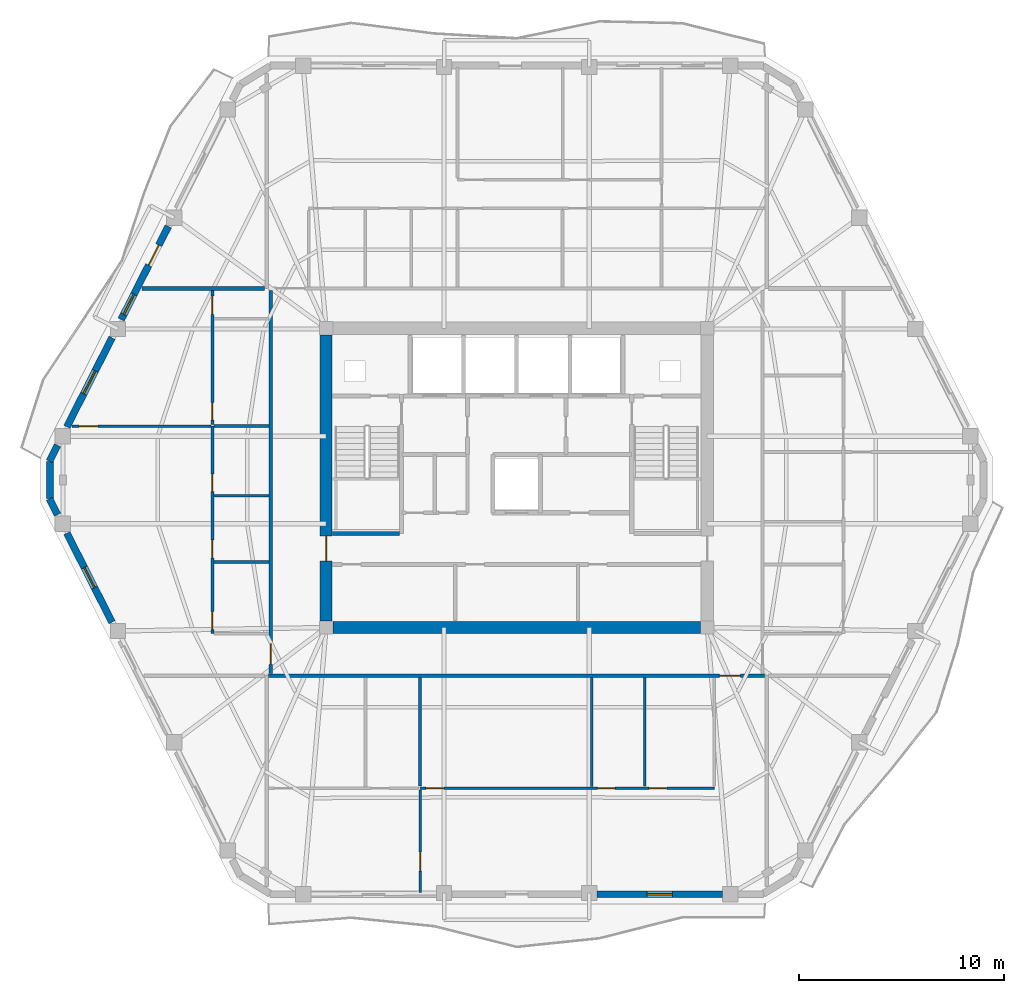
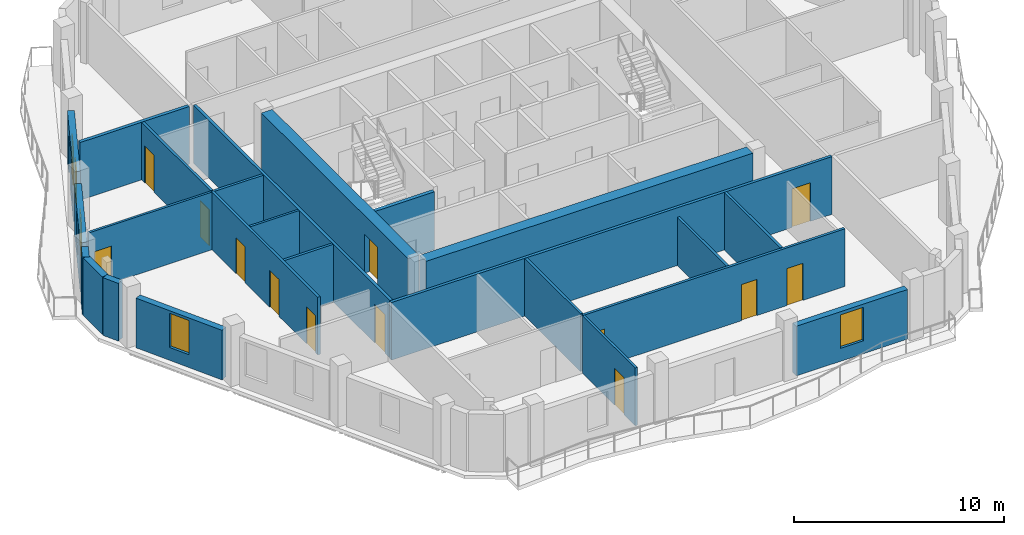
# One storey, part 4 of 9: 24 walls, 14 doors, 4 windows, 18 openings.
"""IFC4 building model written with IfcOpenShell, lengths in metres."""

from ifc_helpers import new_model, si_unit, direction, frame, frame_2d, origin, place, context, subcontext, project, spatial, rectangle, extrude, material, layer, layer_set, type_object, element, fill, save


model = new_model("IFC4")

# Units and contexts
model_context = context("Model", 3, precision=1e-05, world=origin(), true_north=direction((0.0, 1.0)))
body_context = subcontext(model_context, "Body", "Model", "MODEL_VIEW")
ifc_project = project(units=[si_unit("LENGTHUNIT", "METRE"), si_unit("AREAUNIT", "SQUARE_METRE"), si_unit("VOLUMEUNIT", "CUBIC_METRE"), si_unit("PLANEANGLEUNIT", "RADIAN"), si_unit("MASSUNIT", "GRAM", prefix="KILO")], contexts=[model_context])

# Site, building, storey
site_placement = place(None, origin())
site = spatial("IfcSite", under=ifc_project, at=site_placement, CompositionType="ELEMENT")
building_placement = place(site_placement, origin())
building = spatial("IfcBuilding", under=site, at=building_placement, Name="Cinnabar Lancet Tower", CompositionType="ELEMENT")
storey_placement = place(building_placement, frame((0.0, 0.0, 207.39990234375)))
storey = spatial("IfcBuildingStorey", under=building, at=storey_placement, Name="L55", CompositionType="ELEMENT", Elevation=207.39990234375)

# Wall, opening, door
ifc_material_1 = material(Name="Acoustic twin-stud gypsum partition", Category="gypsum")
ifc_layer_1 = layer(ifc_material_1, 0.159912109375)
ifc_layer_set_1 = layer_set([ifc_layer_1], Name="Acoustic twin-stud gypsum partition")
wall_type_1 = type_object("IfcWallType", Name="ARC-WL-CORR-160", PredefinedType="PARTITIONING", material=ifc_layer_set_1)
wall_1_placement = place(storey_placement, frame((20.294921875, 16.25, 0.0), z_axis=(0.0, 0.0, 1.0), x_axis=(1.0, 0.0, 0.0)))
wall_1 = element("IfcWall", 1, at=wall_1_placement, inside=storey, type_object=wall_type_1, Name="L55 Unit S01 Corridor Wall", PredefinedType="PARTITIONING", context=body_context, shape_type="SweptSolid", body=[
    extrude(rectangle(XDim=24.2099609375, YDim=0.159912109375, at=frame_2d((12.10498046875, 0.0))), origin(), (0.0, 0.0, 1.0), 3.35009765625),
])
opening_1_placement = place(wall_1_placement, frame((22.0048828125, 0.0, 0.0)))
opening_1 = element("IfcOpeningElement", 2, at=opening_1_placement, cuts=wall_1, Name="Opening UD-01", PredefinedType="OPENING", context=body_context, shape_type="SweptSolid", body=[
    extrude(rectangle(XDim=1.02001953125, YDim=2.25, at=frame_2d((0.510009765625, 1.125))), frame((0.0, 0.08984375, 0.0), z_axis=(0.0, -1.0, 0.0), x_axis=(1.0, 0.0, 0.0)), (0.0, 0.0, 1.0), 0.179931640625),
])
ifc_material_2 = material(Name="Solid timber fire-rated apartment entrance door", Category="wood")
door_type_1 = type_object("IfcDoorType", Name="ARC-DR-UNIT", OperationType="NOTDEFINED", PredefinedType="DOOR", material=ifc_material_2)
door_1_placement = place(opening_1_placement, origin())
door_1 = element("IfcDoor", 3, at=door_1_placement, inside=storey, type_object=door_type_1, Name="DR-L55-S01-ENT", OperationType="SINGLE_SWING_RIGHT", OverallHeight=2.25, OverallWidth=1.02001953125, PredefinedType="DOOR", context=body_context, shape_type="SweptSolid", body=[
    extrude(rectangle(XDim=1.02001953125, YDim=2.25, at=frame_2d((0.510009765625, 1.125))), frame((0.0, 0.02490234375, 0.0), z_axis=(0.0, -1.0, 0.0), x_axis=(1.0, 0.0, 0.0)), (0.0, 0.0, 1.0), 0.050048828125),
])
fill(opening_1, door_1)

wall_2_placement = place(storey_placement, frame((20.39990234375, 16.344970703125, 0.0), z_axis=(0.0, 0.0, 1.0), x_axis=(0.0, 1.0, 0.0)))
wall_2 = element("IfcWall", 4, at=wall_2_placement, inside=storey, type_object=wall_type_1, Name="UW-L55-W01-COR", PredefinedType="PARTITIONING", context=body_context, shape_type="SweptSolid", body=[
    extrude(rectangle(XDim=18.7099609375, YDim=0.159912109375, at=frame_2d((9.35498046875, 0.0))), origin(), (0.0, 0.0, 1.0), 3.35009765625),
])
opening_2_placement = place(wall_2_placement, frame((0.449951171875, 0.0, 0.0)))
opening_2 = element("IfcOpeningElement", 5, at=opening_2_placement, cuts=wall_2, Name="Opening UD-01", PredefinedType="OPENING", context=body_context, shape_type="SweptSolid", body=[
    extrude(rectangle(XDim=1.02001953125, YDim=2.25, at=frame_2d((0.510009765625, 1.125))), frame((0.0, 0.08984375, 0.0), z_axis=(0.0, -1.0, 0.0), x_axis=(1.0, 0.0, 0.0)), (0.0, 0.0, 1.0), 0.179931640625),
])
door_2_placement = place(opening_2_placement, origin())
door_2 = element("IfcDoor", 6, at=door_2_placement, inside=storey, type_object=door_type_1, Name="DR-L55-W01-ENT", OperationType="SINGLE_SWING_RIGHT", OverallHeight=2.25, OverallWidth=1.02001953125, PredefinedType="DOOR", context=body_context, shape_type="SweptSolid", body=[
    extrude(rectangle(XDim=1.02001953125, YDim=2.25, at=frame_2d((0.510009765625, 1.125))), frame((0.0, 0.02490234375, 0.0), z_axis=(0.0, -1.0, 0.0), x_axis=(1.0, 0.0, 0.0)), (0.0, 0.0, 1.0), 0.050048828125),
])
fill(opening_2, door_2)

# Walls
ifc_material_3 = material(Name="Fire-rated twin-frame acoustic drywall", Category="gypsum")
ifc_layer_2 = layer(ifc_material_3, 0.179931640625)
ifc_layer_set_2 = layer_set([ifc_layer_2], Name="Fire-rated twin-frame acoustic drywall")
wall_type_2 = type_object("IfcWallType", Name="ARC-WL-PARTY-180", PredefinedType="PARTITIONING", material=ifc_layer_set_2)
wall_3_placement = place(storey_placement, frame((14.110107421875, 35.14990234375, 0.0), z_axis=(0.0, 0.0, 1.0), x_axis=(1.0, 0.0, 0.0)))
element("IfcWall", 7, at=wall_3_placement, inside=storey, type_object=wall_type_2, Name="PW-L55-WNB", PredefinedType="PARTITIONING", context=body_context, shape_type="SweptSolid", body=[
    extrude(rectangle(XDim=5.994873046875, YDim=0.179931640625, at=frame_2d((2.99755859375, 0.0))), origin(), (0.0, 0.0, 1.0), 3.35009765625),
])
ifc_material_4 = material(Name="Autoclaved aerated concrete blockwork", Category="masonry")
ifc_layer_3 = layer(ifc_material_4, 0.199951171875)
ifc_layer_set_3 = layer_set([ifc_layer_3], Name="Autoclaved aerated concrete blockwork")
wall_type_3 = type_object("IfcWallType", Name="ARC-WL-SHAFT-200", PredefinedType="PLUMBINGWALL", material=ifc_layer_set_3)
wall_4_placement = place(storey_placement, frame((23.405029296875, 23.199951171875, 0.0), z_axis=(0.0, 0.0, 1.0), x_axis=(1.0, 0.0, 0.0)))
element("IfcWall", 8, at=wall_4_placement, inside=storey, type_object=wall_type_3, Name="CW-ST1S-L55", PredefinedType="PLUMBINGWALL", context=body_context, shape_type="SweptSolid", body=[
    extrude(rectangle(XDim=3.27001953125, YDim=0.199951171875, at=frame_2d((1.635009765625, 0.0))), origin(), (0.0, 0.0, 1.0), 3.35009765625),
])

# Wall, opening, door
ifc_material_5 = material(Name="Gypsum plasterboard stud partition", Category="gypsum")
ifc_layer_4 = layer(ifc_material_5, 0.125)
ifc_layer_set_4 = layer_set([ifc_layer_4], Name="Gypsum plasterboard stud partition")
wall_type_4 = type_object("IfcWallType", Name="ARC-WL-UNIT-125", PredefinedType="PARTITIONING", material=ifc_layer_set_4)
wall_5_placement = place(storey_placement, frame((27.68603515625, 5.6650390625, 0.0), z_axis=(0.0, 0.0, 1.0), x_axis=(0.0, 1.0, 0.0)))
wall_5 = element("IfcWall", 9, at=wall_5_placement, inside=storey, type_object=wall_type_4, Name="UW-L55-S01-MBW", PredefinedType="PARTITIONING", context=body_context, shape_type="SweptSolid", body=[
    extrude(rectangle(XDim=5.011962890625, YDim=0.125, at=frame_2d((2.505859375, 0.0))), origin(), (0.0, 0.0, 1.0), 3.35009765625),
])
opening_3_placement = place(wall_5_placement, frame((1.050048828125, 0.0, 0.0)))
opening_3 = element("IfcOpeningElement", 10, at=opening_3_placement, cuts=wall_5, Name="Opening RD-01", PredefinedType="OPENING", context=body_context, shape_type="SweptSolid", body=[
    extrude(rectangle(XDim=0.919921875, YDim=2.14990234375, at=frame_2d((0.4599609375, 1.074951171875))), frame((0.0, 0.072509765625, 0.0), z_axis=(0.0, -1.0, 0.0), x_axis=(1.0, 0.0, 0.0)), (0.0, 0.0, 1.0), 0.14501953125),
])
ifc_material_6 = material(Name="Engineered timber bedroom door", Category="wood")
door_type_2 = type_object("IfcDoorType", Name="ARC-DR-ROOM", OperationType="NOTDEFINED", PredefinedType="DOOR", material=ifc_material_6)
door_3_placement = place(opening_3_placement, origin())
door_3 = element("IfcDoor", 11, at=door_3_placement, inside=storey, type_object=door_type_2, Name="DR-L55-S01-MBD", OperationType="SINGLE_SWING_LEFT", OverallHeight=2.14990234375, OverallWidth=0.919921875, PredefinedType="DOOR", context=body_context, shape_type="SweptSolid", body=[
    extrude(rectangle(XDim=0.919921875, YDim=2.14990234375, at=frame_2d((0.4599609375, 1.074951171875))), frame((0.0, 0.02490234375, 0.0), z_axis=(0.0, -1.0, 0.0), x_axis=(1.0, 0.0, 0.0)), (0.0, 0.0, 1.0), 0.050048828125),
])
fill(opening_3, door_3)

wall_6_placement = place(storey_placement, frame((10.694091796875, 28.428955078125, 0.0), z_axis=(0.0, 0.0, 1.0), x_axis=(1.0, 0.0, 0.0)))
wall_6 = element("IfcWall", 12, at=wall_6_placement, inside=storey, type_object=wall_type_4, Name="UW-L55-W01-MBN", PredefinedType="PARTITIONING", context=body_context, shape_type="SweptSolid", body=[
    extrude(rectangle(XDim=6.781005859375, YDim=0.125, at=frame_2d((3.390625, 0.0))), origin(), (0.0, 0.0, 1.0), 3.35009765625),
])
opening_4_placement = place(wall_6_placement, frame((0.35009765625, 0.0, 0.0)))
opening_4 = element("IfcOpeningElement", 13, at=opening_4_placement, cuts=wall_6, Name="Opening RD-01", PredefinedType="OPENING", context=body_context, shape_type="SweptSolid", body=[
    extrude(rectangle(XDim=0.919921875, YDim=2.14990234375, at=frame_2d((0.4599609375, 1.074951171875))), frame((0.0, 0.072509765625, 0.0), z_axis=(0.0, -1.0, 0.0), x_axis=(1.0, 0.0, 0.0)), (0.0, 0.0, 1.0), 0.14501953125),
])
door_4_placement = place(opening_4_placement, origin())
door_4 = element("IfcDoor", 14, at=door_4_placement, inside=storey, type_object=door_type_2, Name="DR-L55-W01-MBD", OperationType="SINGLE_SWING_RIGHT", OverallHeight=2.14990234375, OverallWidth=0.919921875, PredefinedType="DOOR", context=body_context, shape_type="SweptSolid", body=[
    extrude(rectangle(XDim=0.919921875, YDim=2.14990234375, at=frame_2d((0.4599609375, 1.074951171875))), frame((0.0, 0.02490234375, 0.0), z_axis=(0.0, -1.0, 0.0), x_axis=(1.0, 0.0, 0.0)), (0.0, 0.0, 1.0), 0.050048828125),
])
fill(opening_4, door_4)

# Wall
wall_7_placement = place(storey_placement, frame((17.635009765625, 25.029052734375, 0.0), z_axis=(0.0, 0.0, 1.0), x_axis=(1.0, 0.0, 0.0)))
element("IfcWall", 15, at=wall_7_placement, inside=storey, type_object=wall_type_4, Name="UW-L55-W01-UDV", PredefinedType="PARTITIONING", context=body_context, shape_type="SweptSolid", body=[
    extrude(rectangle(XDim=2.679931640625, YDim=0.125, at=frame_2d((1.33984375, 0.0))), origin(), (0.0, 0.0, 1.0), 3.35009765625),
])

# Wall, openings, doors
ifc_material_7 = material(Name="Moisture-resistant cement-board plumbing wall", Category="masonry")
ifc_layer_5 = layer(ifc_material_7, 0.139892578125)
ifc_layer_set_5 = layer_set([ifc_layer_5], Name="Moisture-resistant cement-board plumbing wall")
wall_type_5 = type_object("IfcWallType", Name="ARC-WL-WET-140", PredefinedType="PLUMBINGWALL", material=ifc_layer_set_5)
wall_8_placement = place(storey_placement, frame((27.68603515625, 10.751953125, 0.0), z_axis=(0.0, 0.0, 1.0), x_axis=(1.0, 0.0, 0.0)))
wall_8 = element("IfcWall", 16, at=wall_8_placement, inside=storey, type_object=wall_type_5, Name="UW-L55-S01-SPL", PredefinedType="PLUMBINGWALL", context=body_context, shape_type="SweptSolid", body=[
    extrude(rectangle(XDim=14.364013671875, YDim=0.139892578125, at=frame_2d((7.18212890625, 0.0))), origin(), (0.0, 0.0, 1.0), 3.35009765625),
])
opening_5_placement = place(wall_8_placement, frame((0.280029296875, 0.0, 0.0)))
opening_5 = element("IfcOpeningElement", 17, at=opening_5_placement, cuts=wall_8, Name="Opening RD-02", PredefinedType="OPENING", context=body_context, shape_type="SweptSolid", body=[
    extrude(rectangle(XDim=0.8798828125, YDim=2.14990234375, at=frame_2d((0.43994140625, 1.074951171875))), frame((0.0, 0.079833984375, 0.0), z_axis=(0.0, -1.0, 0.0), x_axis=(1.0, 0.0, 0.0)), (0.0, 0.0, 1.0), 0.159912109375),
])
opening_6_placement = place(wall_8_placement, frame((8.658935546875, 0.0, 0.0)))
opening_6 = element("IfcOpeningElement", 18, at=opening_6_placement, cuts=wall_8, Name="Opening BD-01", PredefinedType="OPENING", context=body_context, shape_type="SweptSolid", body=[
    extrude(rectangle(XDim=0.860107421875, YDim=2.10009765625, at=frame_2d((0.43017578125, 1.050048828125))), frame((0.0, 0.079833984375, 0.0), z_axis=(0.0, -1.0, 0.0), x_axis=(1.0, 0.0, 0.0)), (0.0, 0.0, 1.0), 0.159912109375),
])
opening_7_placement = place(wall_8_placement, frame((11.1640625, 0.0, 0.0)))
opening_7 = element("IfcOpeningElement", 19, at=opening_7_placement, cuts=wall_8, Name="Opening RD-02", PredefinedType="OPENING", context=body_context, shape_type="SweptSolid", body=[
    extrude(rectangle(XDim=0.8798828125, YDim=2.14990234375, at=frame_2d((0.43994140625, 1.074951171875))), frame((0.0, 0.079833984375, 0.0), z_axis=(0.0, -1.0, 0.0), x_axis=(1.0, 0.0, 0.0)), (0.0, 0.0, 1.0), 0.159912109375),
])
ifc_material_8 = material(Name="Moisture-resistant timber bathroom door", Category="wood")
door_type_3 = type_object("IfcDoorType", Name="ARC-DR-BATH", OperationType="NOTDEFINED", PredefinedType="DOOR", material=ifc_material_8)
door_5_placement = place(opening_6_placement, origin())
door_5 = element("IfcDoor", 20, at=door_5_placement, inside=storey, type_object=door_type_3, Name="DR-L55-S01-BTH", OperationType="SINGLE_SWING_RIGHT", OverallHeight=2.10009765625, OverallWidth=0.860107421875, PredefinedType="DOOR", context=body_context, shape_type="SweptSolid", body=[
    extrude(rectangle(XDim=0.860107421875, YDim=2.10009765625, at=frame_2d((0.43017578125, 1.050048828125))), frame((0.0, 0.02490234375, 0.0), z_axis=(0.0, -1.0, 0.0), x_axis=(1.0, 0.0, 0.0)), (0.0, 0.0, 1.0), 0.050048828125),
])
fill(opening_6, door_5)
ifc_material_9 = material(Name="Engineered timber study door", Category="wood")
door_type_4 = type_object("IfcDoorType", Name="ARC-DR-STUDY", OperationType="NOTDEFINED", PredefinedType="DOOR", material=ifc_material_9)
door_6_placement = place(opening_5_placement, origin())
door_6 = element("IfcDoor", 21, at=door_6_placement, inside=storey, type_object=door_type_4, Name="DR-L55-S01-BTH-WDR", OperationType="SINGLE_SWING_LEFT", OverallHeight=2.14990234375, OverallWidth=0.8798828125, PredefinedType="DOOR", context=body_context, shape_type="SweptSolid", body=[
    extrude(rectangle(XDim=0.8798828125, YDim=2.14990234375, at=frame_2d((0.43994140625, 1.074951171875))), frame((0.0, 0.02490234375, 0.0), z_axis=(0.0, -1.0, 0.0), x_axis=(1.0, 0.0, 0.0)), (0.0, 0.0, 1.0), 0.050048828125),
])
fill(opening_5, door_6)
door_7_placement = place(opening_7_placement, origin())
door_7 = element("IfcDoor", 22, at=door_7_placement, inside=storey, type_object=door_type_4, Name="DR-L55-S01-KIT", OperationType="SINGLE_SWING_RIGHT", OverallHeight=2.14990234375, OverallWidth=0.8798828125, PredefinedType="DOOR", context=body_context, shape_type="SweptSolid", body=[
    extrude(rectangle(XDim=0.8798828125, YDim=2.14990234375, at=frame_2d((0.43994140625, 1.074951171875))), frame((0.0, 0.02490234375, 0.0), z_axis=(0.0, -1.0, 0.0), x_axis=(1.0, 0.0, 0.0)), (0.0, 0.0, 1.0), 0.050048828125),
])
fill(opening_7, door_7)

# Walls
for number, where, z_axis, x_axis, name in (
    (23, (38.64990234375, 10.85693359375, 0.0), (0.0, 0.0, 1.0), (0.0, 1.0, 0.0), "UW-L55-S01-KBD"),
    (24, (27.68603515625, 10.85693359375, 0.0), (0.0, 0.0, 1.0), (0.0, 1.0, 0.0), "UW-L55-S01-ENSW"),
):
    element("IfcWall", number, at=place(storey_placement, frame(where, z_axis=z_axis, x_axis=x_axis)), inside=storey, type_object=wall_type_5, Name=name, PredefinedType="PLUMBINGWALL", context=body_context, shape_type="SweptSolid", body=[
        extrude(rectangle(XDim=5.30810546875, YDim=0.139892578125, at=frame_2d((2.654052734375, 0.0))), origin(), (0.0, 0.0, 1.0), 3.35009765625),
    ])
wall_9_placement = place(storey_placement, frame((36.06494140625, 10.8369140625, 0.0), z_axis=(0.0, 0.0, 1.0), x_axis=(0.0, 1.0, 0.0)))
element("IfcWall", 25, at=wall_9_placement, inside=storey, type_object=wall_type_5, Name="UW-L55-S01-BTH-WDV", PredefinedType="PLUMBINGWALL", context=body_context, shape_type="SweptSolid", body=[
    extrude(rectangle(XDim=5.328125, YDim=0.139892578125, at=frame_2d((2.6640625, 0.0))), origin(), (0.0, 0.0, 1.0), 2.80712890625),
])

# Wall, openings, doors
wall_10_placement = place(storey_placement, frame((17.550048828125, 18.300048828125, 0.0), z_axis=(0.0, 0.0, 1.0), x_axis=(0.0, 1.0, 0.0)))
wall_10 = element("IfcWall", 26, at=wall_10_placement, inside=storey, type_object=wall_type_5, Name="UW-L55-W01-SPL", PredefinedType="PLUMBINGWALL", context=body_context, shape_type="SweptSolid", body=[
    extrude(rectangle(XDim=10.12890625, YDim=0.139892578125, at=frame_2d((5.064453125, 0.0))), origin(), (0.0, 0.0, 1.0), 3.35009765625),
])
opening_8_placement = place(wall_10_placement, frame((0.199951171875, 0.0, 0.0)))
opening_8 = element("IfcOpeningElement", 27, at=opening_8_placement, cuts=wall_10, Name="Opening RD-02", PredefinedType="OPENING", context=body_context, shape_type="SweptSolid", body=[
    extrude(rectangle(XDim=0.8798828125, YDim=2.14990234375, at=frame_2d((0.43994140625, 1.074951171875))), frame((0.0, 0.079833984375, 0.0), z_axis=(0.0, -1.0, 0.0), x_axis=(1.0, 0.0, 0.0)), (0.0, 0.0, 1.0), 0.159912109375),
])
opening_9_placement = place(wall_10_placement, frame((3.699951171875, 0.0, 0.0)))
opening_9 = element("IfcOpeningElement", 28, at=opening_9_placement, cuts=wall_10, Name="Opening RD-02", PredefinedType="OPENING", context=body_context, shape_type="SweptSolid", body=[
    extrude(rectangle(XDim=0.8798828125, YDim=2.14990234375, at=frame_2d((0.43994140625, 1.074951171875))), frame((0.0, 0.079833984375, 0.0), z_axis=(0.0, -1.0, 0.0), x_axis=(1.0, 0.0, 0.0)), (0.0, 0.0, 1.0), 0.159912109375),
])
opening_10_placement = place(wall_10_placement, frame((6.928955078125, 0.0, 0.0)))
opening_10 = element("IfcOpeningElement", 29, at=opening_10_placement, cuts=wall_10, Name="Opening BD-01", PredefinedType="OPENING", context=body_context, shape_type="SweptSolid", body=[
    extrude(rectangle(XDim=0.860107421875, YDim=2.10009765625, at=frame_2d((0.43017578125, 1.050048828125))), frame((0.0, 0.079833984375, 0.0), z_axis=(0.0, -1.0, 0.0), x_axis=(1.0, 0.0, 0.0)), (0.0, 0.0, 1.0), 0.159912109375),
])
door_8_placement = place(opening_10_placement, origin())
door_8 = element("IfcDoor", 30, at=door_8_placement, inside=storey, type_object=door_type_3, Name="DR-L55-W01-BTH", OperationType="SINGLE_SWING_LEFT", OverallHeight=2.10009765625, OverallWidth=0.860107421875, PredefinedType="DOOR", context=body_context, shape_type="SweptSolid", body=[
    extrude(rectangle(XDim=0.860107421875, YDim=2.10009765625, at=frame_2d((0.43017578125, 1.050048828125))), frame((0.0, 0.02490234375, 0.0), z_axis=(0.0, -1.0, 0.0), x_axis=(1.0, 0.0, 0.0)), (0.0, 0.0, 1.0), 0.050048828125),
])
fill(opening_10, door_8)
door_9_placement = place(opening_8_placement, origin())
door_9 = element("IfcDoor", 31, at=door_9_placement, inside=storey, type_object=door_type_4, Name="DR-L55-W01-KIT", OperationType="SINGLE_SWING_LEFT", OverallHeight=2.14990234375, OverallWidth=0.8798828125, PredefinedType="DOOR", context=body_context, shape_type="SweptSolid", body=[
    extrude(rectangle(XDim=0.8798828125, YDim=2.14990234375, at=frame_2d((0.43994140625, 1.074951171875))), frame((0.0, 0.02490234375, 0.0), z_axis=(0.0, -1.0, 0.0), x_axis=(1.0, 0.0, 0.0)), (0.0, 0.0, 1.0), 0.050048828125),
])
fill(opening_8, door_9)
door_10_placement = place(opening_9_placement, origin())
door_10 = element("IfcDoor", 32, at=door_10_placement, inside=storey, type_object=door_type_4, Name="DR-L55-W01-UTL", OperationType="SINGLE_SWING_RIGHT", OverallHeight=2.14990234375, OverallWidth=0.8798828125, PredefinedType="DOOR", context=body_context, shape_type="SweptSolid", body=[
    extrude(rectangle(XDim=0.8798828125, YDim=2.14990234375, at=frame_2d((0.43994140625, 1.074951171875))), frame((0.0, 0.02490234375, 0.0), z_axis=(0.0, -1.0, 0.0), x_axis=(1.0, 0.0, 0.0)), (0.0, 0.0, 1.0), 0.050048828125),
])
fill(opening_9, door_10)

wall_11_placement = place(storey_placement, frame((17.550048828125, 28.4990234375, 0.0), z_axis=(0.0, 0.0, 1.0), x_axis=(0.0, 1.0, 0.0)))
wall_11 = element("IfcWall", 33, at=wall_11_placement, inside=storey, type_object=wall_type_5, Name="UW-L55-W01-SPM", PredefinedType="PLUMBINGWALL", context=body_context, shape_type="SweptSolid", body=[
    extrude(rectangle(XDim=6.555908203125, YDim=0.139892578125, at=frame_2d((3.27783203125, 0.0))), origin(), (0.0, 0.0, 1.0), 3.35009765625),
])
opening_11_placement = place(wall_11_placement, frame((0.219970703125, 0.0, 0.0)))
opening_11 = element("IfcOpeningElement", 34, at=opening_11_placement, cuts=wall_11, Name="Opening BD-01", PredefinedType="OPENING", context=body_context, shape_type="SweptSolid", body=[
    extrude(rectangle(XDim=0.860107421875, YDim=2.10009765625, at=frame_2d((0.43017578125, 1.050048828125))), frame((0.0, 0.079833984375, 0.0), z_axis=(0.0, -1.0, 0.0), x_axis=(1.0, 0.0, 0.0)), (0.0, 0.0, 1.0), 0.159912109375),
])
opening_12_placement = place(wall_11_placement, frame((5.388916015625, 0.0, 0.0)))
opening_12 = element("IfcOpeningElement", 35, at=opening_12_placement, cuts=wall_11, Name="Opening RD-02", PredefinedType="OPENING", context=body_context, shape_type="SweptSolid", body=[
    extrude(rectangle(XDim=0.8798828125, YDim=2.14990234375, at=frame_2d((0.43994140625, 1.074951171875))), frame((0.0, 0.079833984375, 0.0), z_axis=(0.0, -1.0, 0.0), x_axis=(1.0, 0.0, 0.0)), (0.0, 0.0, 1.0), 0.159912109375),
])
door_11_placement = place(opening_11_placement, origin())
door_11 = element("IfcDoor", 36, at=door_11_placement, inside=storey, type_object=door_type_3, Name="DR-L55-W01-ENS", OperationType="SINGLE_SWING_RIGHT", OverallHeight=2.10009765625, OverallWidth=0.860107421875, PredefinedType="DOOR", context=body_context, shape_type="SweptSolid", body=[
    extrude(rectangle(XDim=0.860107421875, YDim=2.10009765625, at=frame_2d((0.43017578125, 1.050048828125))), frame((0.0, 0.02490234375, 0.0), z_axis=(0.0, -1.0, 0.0), x_axis=(1.0, 0.0, 0.0)), (0.0, 0.0, 1.0), 0.050048828125),
])
fill(opening_11, door_11)
door_12_placement = place(opening_12_placement, origin())
door_12 = element("IfcDoor", 37, at=door_12_placement, inside=storey, type_object=door_type_4, Name="DR-L55-W01-EWDR", OperationType="SINGLE_SWING_LEFT", OverallHeight=2.14990234375, OverallWidth=0.8798828125, PredefinedType="DOOR", context=body_context, shape_type="SweptSolid", body=[
    extrude(rectangle(XDim=0.8798828125, YDim=2.14990234375, at=frame_2d((0.43994140625, 1.074951171875))), frame((0.0, 0.02490234375, 0.0), z_axis=(0.0, -1.0, 0.0), x_axis=(1.0, 0.0, 0.0)), (0.0, 0.0, 1.0), 0.050048828125),
])
fill(opening_12, door_12)

# Walls
for number, where, z_axis, x_axis, name in (
    (38, (17.635009765625, 28.428955078125, 0.0), (0.0, 0.0, 1.0), (1.0, 0.0, 0.0), "UW-L55-W01-ENSN"),
    (39, (17.635009765625, 21.800048828125, 0.0), (0.0, 0.0, 1.0), (1.0, 0.0, 0.0), "UW-L55-W01-KDV"),
):
    element("IfcWall", number, at=place(storey_placement, frame(where, z_axis=z_axis, x_axis=x_axis)), inside=storey, type_object=wall_type_5, Name=name, PredefinedType="PLUMBINGWALL", context=body_context, shape_type="SweptSolid", body=[
        extrude(rectangle(XDim=2.679931640625, YDim=0.139892578125, at=frame_2d((1.33984375, 0.0))), origin(), (0.0, 0.0, 1.0), 3.35009765625),
    ])
ifc_material_10 = material(Name="Cinnabar red clay brick", Category="masonry")
ifc_layer_6 = layer(ifc_material_10, 0.340087890625)
ifc_layer_set_6 = layer_set([ifc_layer_6], Name="Cinnabar red clay brick")
wall_type_6 = type_object("IfcWallType", Name="ENV-WL-BRK-RED-340", PredefinedType="STANDARD", material=ifc_layer_set_6)
wall_12_placement = place(storey_placement, frame((9.6220703125, 26.7080078125, 0.0), z_axis=(0.0, 0.0, 1.0), x_axis=(0.0, -1.0, 0.0)))
element("IfcWall", 40, at=wall_12_placement, inside=storey, type_object=wall_type_6, Name="L55 Chamfered Corner Brick Pier 6.1", PredefinedType="STANDARD", context=body_context, shape_type="SweptSolid", body=[
    extrude(rectangle(XDim=1.81591796875, YDim=0.340087890625, at=frame_2d((0.907958984375, 0.0))), origin(), (0.0, 0.0, 1.0), 3.35009765625),
])

# Wall, opening, window
wall_13_placement = place(storey_placement, frame((36.322021484375, 5.580078125, 0.0), z_axis=(0.0, 0.0, 1.0), x_axis=(1.0, 0.0, 0.0)))
wall_13 = element("IfcWall", 41, at=wall_13_placement, inside=storey, type_object=wall_type_6, Name="L55 Face 1 Masonry Bay Wall 4", PredefinedType="STANDARD", context=body_context, shape_type="SweptSolid", body=[
    extrude(rectangle(XDim=6.119873046875, YDim=0.340087890625, at=frame_2d((3.06005859375, 0.0))), origin(), (0.0, 0.0, 1.0), 2.883056640625),
])
opening_13_placement = place(wall_13_placement, frame((2.43505859375, 0.0, 0.75)))
opening_13 = element("IfcOpeningElement", 42, at=opening_13_placement, cuts=wall_13, Name="Opening WN-03", PredefinedType="OPENING", context=body_context, shape_type="SweptSolid", body=[
    extrude(rectangle(XDim=1.25, YDim=1.949951171875, at=frame_2d((0.625, 0.97509765625))), frame((0.0, 0.179931640625, 0.0), z_axis=(0.0, -1.0, 0.0), x_axis=(1.0, 0.0, 0.0)), (0.0, 0.0, 1.0), 0.360107421875),
])
ifc_material_11 = material(Name="Thermally broken bronze-anodized aluminium low-E double glazing", Category="aluminium")
window_type_1 = type_object("IfcWindowType", Name="ENV-WN-LANCET-1250", PartitioningType="SINGLE_PANEL", PredefinedType="WINDOW", material=ifc_material_11)
window_1_placement = place(opening_13_placement, origin())
window_1 = element("IfcWindow", 43, at=window_1_placement, inside=storey, type_object=window_type_1, Name="L55 Face 1 Gothic Lancet Window 4", OverallHeight=1.949951171875, OverallWidth=1.25, PartitioningType="SINGLE_PANEL", PredefinedType="WINDOW", context=body_context, shape_type="SweptSolid", body=[
    extrude(rectangle(XDim=1.25, YDim=1.949951171875, at=frame_2d((0.625, 0.97509765625))), frame((0.0, 0.030029296875, 0.0), z_axis=(0.0, -1.0, 0.0), x_axis=(1.0, 0.0, 0.0)), (0.0, 0.0, 1.0), 0.06005859375),
])
fill(opening_13, window_1)

# Wall, openings, door, window
wall_14_placement = place(storey_placement, frame((15.39697265625, 38.173095703125, 0.0), z_axis=(0.0, 0.0, 1.0), x_axis=(-0.451444616922, -0.892299141461, 0.0)))
wall_14 = element("IfcWall", 44, at=wall_14_placement, inside=storey, type_object=wall_type_6, Name="L55 Face 5 Masonry Bay Wall 3", PredefinedType="STANDARD", context=body_context, shape_type="SweptSolid", body=[
    extrude(rectangle(XDim=5.094970703125, YDim=0.340087890625, at=frame_2d((2.54736328125, 0.0))), origin(), (0.0, 0.0, 1.0), 2.883056640625),
])
opening_14_placement = place(wall_14_placement, frame((1.01904296875, 0.0, 0.0)))
opening_14 = element("IfcOpeningElement", 45, at=opening_14_placement, cuts=wall_14, Name="Opening TD-01", PredefinedType="OPENING", context=body_context, shape_type="SweptSolid", body=[
    extrude(rectangle(XDim=1.10009765625, YDim=2.25, at=frame_2d((0.550048828125, 1.125))), frame((0.0, 0.179931640625, 0.0), z_axis=(0.0, -1.0, 0.0), x_axis=(1.0, 0.0, 0.0)), (0.0, 0.0, 1.0), 0.360107421875),
])
opening_15_placement = place(wall_14_placement, frame((3.7119140625, 0.0, 0.75)))
opening_15 = element("IfcOpeningElement", 46, at=opening_15_placement, cuts=wall_14, Name="Opening WN-04", PredefinedType="OPENING", context=body_context, shape_type="SweptSolid", body=[
    extrude(rectangle(XDim=1.10009765625, YDim=1.98291015625, at=frame_2d((0.550048828125, 0.991455078125))), frame((0.0, 0.179931640625, 0.0), z_axis=(0.0, -1.0, 0.0), x_axis=(1.0, 0.0, 0.0)), (0.0, 0.0, 1.0), 0.360107421875),
])
ifc_material_12 = material(Name="Thermally broken low-E glazed balcony terrace door", Category="wood")
door_type_5 = type_object("IfcDoorType", Name="ARC-DR-BALC", OperationType="NOTDEFINED", PredefinedType="DOOR", material=ifc_material_12)
door_13_placement = place(opening_14_placement, origin())
door_13 = element("IfcDoor", 47, at=door_13_placement, inside=storey, type_object=door_type_5, Name="L55 Face 5 Glazed Terrace Door", OperationType="SINGLE_SWING_RIGHT", OverallHeight=2.25, OverallWidth=1.10009765625, PredefinedType="DOOR", context=body_context, shape_type="SweptSolid", body=[
    extrude(rectangle(XDim=1.10009765625, YDim=2.25, at=frame_2d((0.550048828125, 1.125))), frame((0.0, 0.02490234375, 0.0), z_axis=(0.0, -1.0, 0.0), x_axis=(1.0, 0.0, 0.0)), (0.0, 0.0, 1.0), 0.050048828125),
])
fill(opening_14, door_13)
ifc_material_13 = material(Name="Thermally broken bronze-anodized aluminium tall lancet window", Category="aluminium")
window_type_2 = type_object("IfcWindowType", Name="ENV-WN-LANCET-1100", PartitioningType="SINGLE_PANEL", PredefinedType="WINDOW", material=ifc_material_13)
window_2_placement = place(opening_15_placement, origin())
window_2 = element("IfcWindow", 48, at=window_2_placement, inside=storey, type_object=window_type_2, Name="L55 Split-Bay Gothic Lancet Window 190", OverallHeight=1.98291015625, OverallWidth=1.10009765625, PartitioningType="SINGLE_PANEL", PredefinedType="WINDOW", context=body_context, shape_type="SweptSolid", body=[
    extrude(rectangle(XDim=1.10009765625, YDim=1.98291015625, at=frame_2d((0.550048828125, 0.991455078125))), frame((0.0, 0.030029296875, 0.0), z_axis=(0.0, -1.0, 0.0), x_axis=(1.0, 0.0, 0.0)), (0.0, 0.0, 1.0), 0.06005859375),
])
fill(opening_15, window_2)

# Wall, opening, window
wall_15_placement = place(storey_placement, frame((12.653076171875, 32.7470703125, 0.0), z_axis=(0.0, 0.0, 1.0), x_axis=(-0.451545895749, -0.892247893824, 0.0)))
wall_15 = element("IfcWall", 49, at=wall_15_placement, inside=storey, type_object=wall_type_6, Name="L55 Face 5 Masonry Bay Wall 4", PredefinedType="STANDARD", context=body_context, shape_type="SweptSolid", body=[
    extrude(rectangle(XDim=4.885498046875, YDim=0.340087890625, at=frame_2d((2.44287109375, 0.0))), origin(), (0.0, 0.0, 1.0), 2.883056640625),
])
opening_16_placement = place(wall_15_placement, frame((1.818115234375, 0.0, 0.75)))
opening_16 = element("IfcOpeningElement", 50, at=opening_16_placement, cuts=wall_15, Name="Opening WN-03", PredefinedType="OPENING", context=body_context, shape_type="SweptSolid", body=[
    extrude(rectangle(XDim=1.25, YDim=1.949951171875, at=frame_2d((0.625, 0.97509765625))), frame((0.0, 0.179931640625, 0.0), z_axis=(0.0, -1.0, 0.0), x_axis=(1.0, 0.0, 0.0)), (0.0, 0.0, 1.0), 0.360107421875),
])
window_3_placement = place(opening_16_placement, origin())
window_3 = element("IfcWindow", 51, at=window_3_placement, inside=storey, type_object=window_type_1, Name="L55 Face 5 Gothic Lancet Window 4", OverallHeight=1.949951171875, OverallWidth=1.25, PartitioningType="SINGLE_PANEL", PredefinedType="WINDOW", context=body_context, shape_type="SweptSolid", body=[
    extrude(rectangle(XDim=1.25, YDim=1.949951171875, at=frame_2d((0.625, 0.97509765625))), frame((0.0, 0.030029296875, 0.0), z_axis=(0.0, -1.0, 0.0), x_axis=(1.0, 0.0, 0.0)), (0.0, 0.0, 1.0), 0.06005859375),
])
fill(opening_16, window_3)

# Walls
wall_16_placement = place(storey_placement, frame((9.993896484375, 27.492919921875, 0.0), z_axis=(0.0, 0.0, 1.0), x_axis=(-0.450796198004, -0.892626902947, 0.0)))
element("IfcWall", 52, at=wall_16_placement, inside=storey, type_object=wall_type_6, Name="L55 Face 5 Masonry Bay Wall 5", PredefinedType="STANDARD", context=body_context, shape_type="SweptSolid", body=[
    extrude(rectangle(XDim=0.871337890625, YDim=0.340087890625, at=frame_2d((0.435546875, 0.0))), origin(), (0.0, 0.0, 1.0), 3.35009765625),
])
wall_17_placement = place(storey_placement, frame((9.60107421875, 24.885009765625, 0.0), z_axis=(0.0, 0.0, 1.0), x_axis=(0.450683483537, -0.892683817299, 0.0)))
element("IfcWall", 53, at=wall_17_placement, inside=storey, type_object=wall_type_6, Name="L55 Face 6 Masonry Bay Wall 1", PredefinedType="STANDARD", context=body_context, shape_type="SweptSolid", body=[
    extrude(rectangle(XDim=0.87158203125, YDim=0.340087890625, at=frame_2d((0.435791015625, 0.0))), origin(), (0.0, 0.0, 1.0), 3.35009765625),
])

# Wall, opening, window
wall_18_placement = place(storey_placement, frame((10.447021484375, 23.2119140625, 0.0), z_axis=(0.0, 0.0, 1.0), x_axis=(0.451566029745, -0.892237704191, 0.0)))
wall_18 = element("IfcWall", 54, at=wall_18_placement, inside=storey, type_object=wall_type_6, Name="L55 Face 6 Masonry Bay Wall 2", PredefinedType="STANDARD", context=body_context, shape_type="SweptSolid", body=[
    extrude(rectangle(XDim=4.88525390625, YDim=0.340087890625, at=frame_2d((2.442626953125, 0.0))), origin(), (0.0, 0.0, 1.0), 2.883056640625),
])
opening_17_placement = place(wall_18_placement, frame((1.89306640625, 0.0, 0.75)))
opening_17 = element("IfcOpeningElement", 55, at=opening_17_placement, cuts=wall_18, Name="Opening WN-04", PredefinedType="OPENING", context=body_context, shape_type="SweptSolid", body=[
    extrude(rectangle(XDim=1.10009765625, YDim=1.98291015625, at=frame_2d((0.550048828125, 0.991455078125))), frame((0.0, 0.179931640625, 0.0), z_axis=(0.0, -1.0, 0.0), x_axis=(1.0, 0.0, 0.0)), (0.0, 0.0, 1.0), 0.360107421875),
])
window_4_placement = place(opening_17_placement, origin())
window_4 = element("IfcWindow", 56, at=window_4_placement, inside=storey, type_object=window_type_2, Name="L55 Face 6 Gothic Lancet Window 2", OverallHeight=1.98291015625, OverallWidth=1.10009765625, PartitioningType="SINGLE_PANEL", PredefinedType="WINDOW", context=body_context, shape_type="SweptSolid", body=[
    extrude(rectangle(XDim=1.10009765625, YDim=1.98291015625, at=frame_2d((0.550048828125, 0.991455078125))), frame((0.0, 0.030029296875, 0.0), z_axis=(0.0, -1.0, 0.0), x_axis=(1.0, 0.0, 0.0)), (0.0, 0.0, 1.0), 0.06005859375),
])
fill(opening_17, window_4)

# Wall
ifc_material_14 = material(Name="Concrete C60/75", Category="concrete")
ifc_layer_7 = layer(ifc_material_14, 0.60009765625)
ifc_layer_set_7 = layer_set([ifc_layer_7], Name="Concrete C60/75")
wall_type_7 = type_object("IfcWallType", Name="STR-WL-CORE-600", PredefinedType="SHEAR", material=ifc_layer_set_7)
wall_19_placement = place(storey_placement, frame((23.425048828125, 18.60009765625, 0.0), z_axis=(0.0, 0.0, 1.0), x_axis=(1.0, 0.0, 0.0)))
element("IfcWall", 57, at=wall_19_placement, inside=storey, type_object=wall_type_7, Name="L55 Core Shear Wall S", PredefinedType="SHEAR", context=body_context, shape_type="SweptSolid", body=[
    extrude(rectangle(XDim=17.949951171875, YDim=0.60009765625, at=frame_2d((8.97509765625, 0.0))), origin(), (0.0, 0.0, 1.0), 3.35009765625),
])

# Wall, opening, door
wall_20_placement = place(storey_placement, frame((23.10009765625, 18.925048828125, 0.0), z_axis=(0.0, 0.0, 1.0), x_axis=(0.0, 1.0, 0.0)))
wall_20 = element("IfcWall", 58, at=wall_20_placement, inside=storey, type_object=wall_type_7, Name="L55 Core Shear Wall W", PredefinedType="SHEAR", context=body_context, shape_type="SweptSolid", body=[
    extrude(rectangle(XDim=13.949951171875, YDim=0.60009765625, at=frame_2d((6.97509765625, 0.0))), origin(), (0.0, 0.0, 1.0), 3.35009765625),
])
opening_18_placement = place(wall_20_placement, frame((2.9150390625, 0.0, 0.0)))
opening_18 = element("IfcOpeningElement", 59, at=opening_18_placement, cuts=wall_20, Name="Opening FD-02", PredefinedType="OPENING", context=body_context, shape_type="SweptSolid", body=[
    extrude(rectangle(XDim=1.219970703125, YDim=2.25, at=frame_2d((0.60986328125, 1.125))), frame((0.0, 0.31005859375, 0.0), z_axis=(0.0, -1.0, 0.0), x_axis=(1.0, 0.0, 0.0)), (0.0, 0.0, 1.0), 0.6201171875),
])
ifc_material_15 = material(Name="Fire-rated double-vision core portal door", Category="wood")
door_type_6 = type_object("IfcDoorType", Name="ARC-DR-CPORT", OperationType="NOTDEFINED", PredefinedType="DOOR", material=ifc_material_15)
door_14_placement = place(opening_18_placement, origin())
door_14 = element("IfcDoor", 60, at=door_14_placement, inside=storey, type_object=door_type_6, Name="L55 West Core Lobby Fire Door", OperationType="SINGLE_SWING_RIGHT", OverallHeight=2.25, OverallWidth=1.219970703125, PredefinedType="DOOR", context=body_context, shape_type="SweptSolid", body=[
    extrude(rectangle(XDim=1.219970703125, YDim=2.25, at=frame_2d((0.60986328125, 1.125))), frame((0.0, 0.02490234375, 0.0), z_axis=(0.0, -1.0, 0.0), x_axis=(1.0, 0.0, 0.0)), (0.0, 0.0, 1.0), 0.050048828125),
])
fill(opening_18, door_14)

save(model, "model.ifc")
